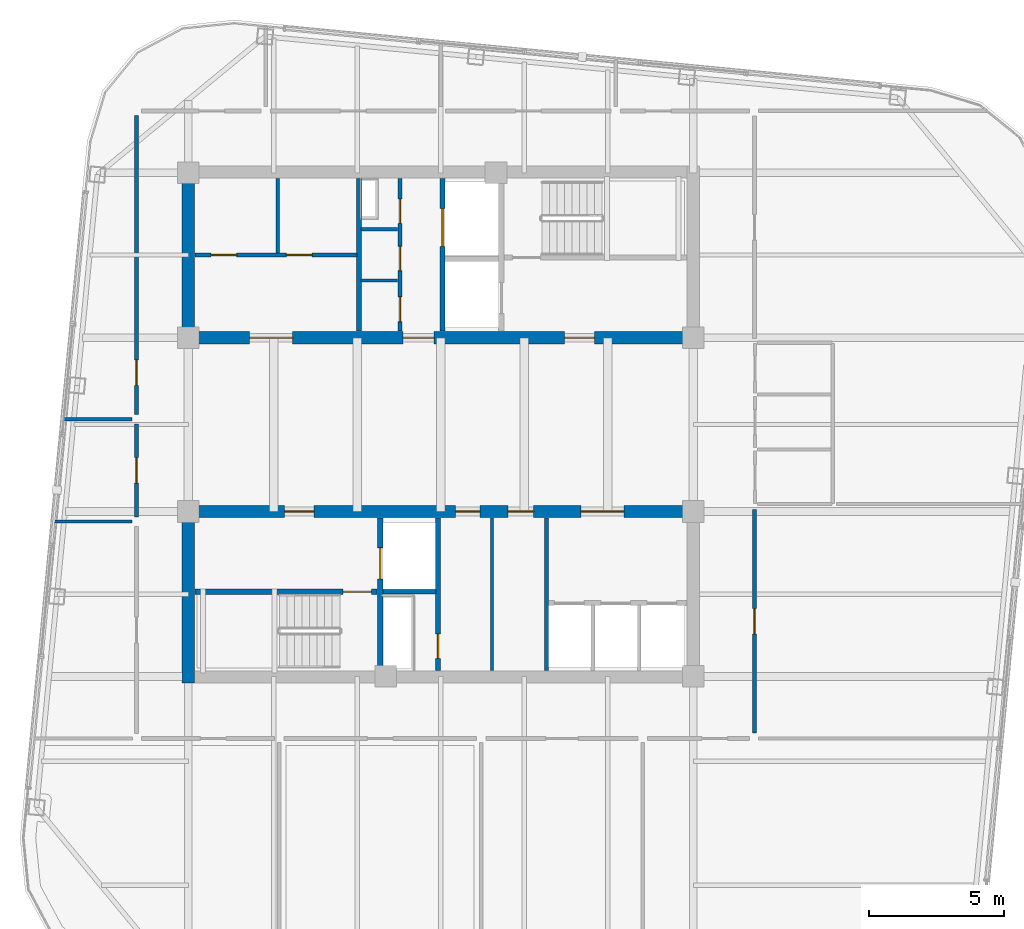
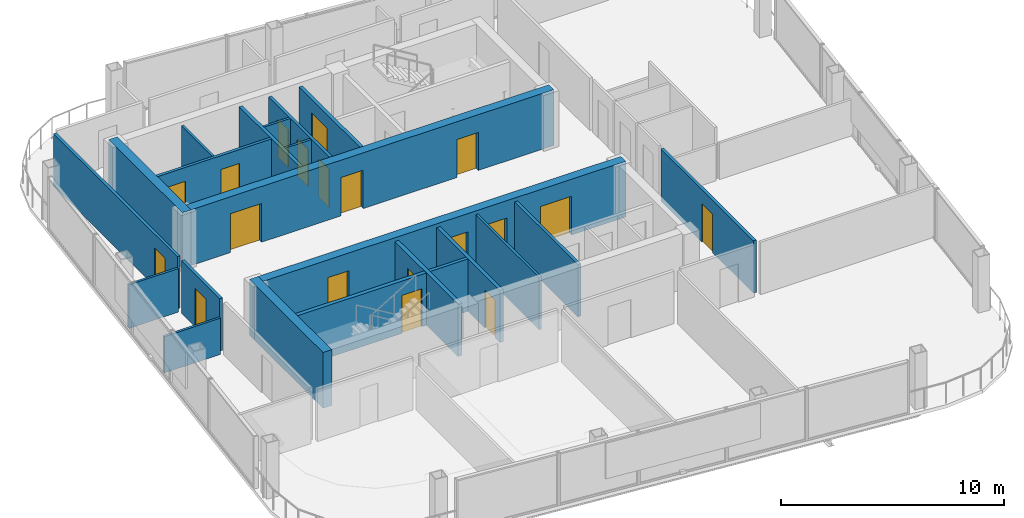
# One storey, part 17 of 23: 22 walls, 19 doors, 19 openings.
"""IFC4 building model written with IfcOpenShell, lengths in metres."""

import ifcopenshell
import ifcopenshell.guid

model = None  # the IFC model being written
_history = None  # IfcOwnerHistory: only IFC2X3 demands one
_inside = {}  # id of a spatial element -> (the spatial element, [elements in it])
_under = {}  # id of a project, library or spatial element -> (it, [spatial elements below it])
_declared = {}  # id of a project -> (the project, [libraries it declares])
_typed = {}  # id of a type object -> (the type object, [elements of that type])
_made_of = {}  # id of a material, layer set ... -> (it, [elements and type objects made of it])


def new_model(schema):
    """Start an empty IFC model of exactly this schema.

    Asked for "IFC4X3", IfcOpenShell would pick the latest addendum, in which some entities
    have other attributes; the version numbers below select the first issue.
    IFC2X3 requires an IfcOwnerHistory on every rooted entity: one is made here for all.
    """
    global model, _history
    if schema == "IFC4X3":
        model = ifcopenshell.file(schema_version=(4, 3, 0, 0))
    else:
        model = ifcopenshell.file(schema=schema)
    _inside.clear()
    _under.clear()
    _declared.clear()
    _typed.clear()
    _made_of.clear()
    _history = None
    if model.schema == "IFC2X3":
        org = make("IfcOrganization", Name="unknown")
        user = make(
            "IfcPersonAndOrganization",
            ThePerson=make("IfcPerson", FamilyName="unknown"),
            TheOrganization=org,
        )
        app = make(
            "IfcApplication",
            ApplicationDeveloper=org,
            Version="unknown",
            ApplicationFullName="unknown",
            ApplicationIdentifier="unknown",
        )
        _history = make(
            "IfcOwnerHistory",
            OwningUser=user,
            OwningApplication=app,
            ChangeAction="ADDED",
            CreationDate=0,
        )
    return model


def make(cls, **values):
    """One entity of the class cls with the attributes given. An attribute that is None is left unset."""
    return model.create_entity(
        cls, **{name: value for name, value in values.items() if value is not None}
    )


def rooted(cls, **values):
    """An entity with a GlobalId (a new one), such as an element, a storey or a relation."""
    return make(cls, GlobalId=ifcopenshell.guid.new(), OwnerHistory=_history, **values)


def si_unit(unit_type, name, prefix=None):
    """IfcSIUnit, for example si_unit("LENGTHUNIT", "METRE", prefix="MILLI")."""
    return make("IfcSIUnit", UnitType=unit_type, Prefix=prefix, Name=name)


def assignment(units):
    """IfcUnitAssignment: the units of a project."""
    return None if units is None else make("IfcUnitAssignment", Units=units)


def point(xyz):
    """IfcCartesianPoint."""
    return None if xyz is None else make("IfcCartesianPoint", Coordinates=xyz)


def direction(xyz):
    """IfcDirection."""
    return None if xyz is None else make("IfcDirection", DirectionRatios=xyz)


def frame(location, z_axis=None, x_axis=None):
    """IfcAxis2Placement3D, a coordinate frame: its origin and axes. An axis left out is left unset."""
    return make(
        "IfcAxis2Placement3D",
        Location=point(location),
        Axis=direction(z_axis),
        RefDirection=direction(x_axis),
    )


def frame_2d(location, x_axis=None):
    """IfcAxis2Placement2D, a coordinate frame in the plane: its origin and x axis."""
    return make(
        "IfcAxis2Placement2D", Location=point(location), RefDirection=direction(x_axis)
    )


def origin():
    """The frame at (0, 0, 0) with its axes left unset."""
    return frame((0.0, 0.0, 0.0))


def place(relative_to, where):
    """IfcLocalPlacement: puts the frame where relative to a parent placement (None: the world)."""
    return make(
        "IfcLocalPlacement", PlacementRelTo=relative_to, RelativePlacement=where
    )


def context(
    kind, dimensions, precision=None, world=None, true_north=None, identifier=None
):
    """IfcGeometricRepresentationContext, for example the 3D "Model" context."""
    return make(
        "IfcGeometricRepresentationContext",
        ContextIdentifier=identifier,
        ContextType=kind,
        CoordinateSpaceDimension=dimensions,
        Precision=precision,
        WorldCoordinateSystem=world,
        TrueNorth=true_north,
    )


def subcontext(parent, identifier, kind, view, scale=None):
    """IfcGeometricRepresentationSubContext, for example "Body" below "Model"."""
    return make(
        "IfcGeometricRepresentationSubContext",
        ContextIdentifier=identifier,
        ContextType=kind,
        ParentContext=parent,
        TargetScale=scale,
        TargetView=view,
    )


def project(units=None, contexts=None):
    """IfcProject with its units and contexts."""
    return rooted(
        "IfcProject",
        Name="project",
        RepresentationContexts=contexts,
        UnitsInContext=assignment(units),
    )


def spatial(cls, under=None, at=None, **own):
    """A site, building, storey or space (cls), placed at a placement, below another one or the project."""
    s = rooted(cls, ObjectPlacement=at, **own)
    if under is not None:
        _under.setdefault(under.id(), (under, []))[1].append(s)
    return s


def profile(cls, at=None, kind="AREA", **sizes):
    """A parametric profile (cls). Its sizes go by their IFC names, for example OverallWidth=200.0."""
    return make(cls, ProfileType=kind, Position=at, **sizes)


def rectangle(**sizes):
    """IfcRectangleProfileDef."""
    return profile("IfcRectangleProfileDef", **sizes)


def extrude(swept, where, along, depth):
    """IfcExtrudedAreaSolid: the profile swept, set in the frame where, extruded along a direction by depth."""
    return make(
        "IfcExtrudedAreaSolid",
        SweptArea=swept,
        Position=where,
        ExtrudedDirection=direction(along),
        Depth=depth,
    )


def shape(context_of_items, identifier, shape_type, items):
    """IfcShapeRepresentation: the items that make up one representation, for example the "Body"."""
    return make(
        "IfcShapeRepresentation",
        ContextOfItems=context_of_items,
        RepresentationIdentifier=identifier,
        RepresentationType=shape_type,
        Items=items,
    )


def material(Name=None, Category=None):
    """IfcMaterial."""
    return make("IfcMaterial", Name=Name, Category=Category)


def layer(
    of_material, thickness, ventilated=None, Name=None, Category=None, Priority=None
):
    """IfcMaterialLayer: one layer of a wall or slab, of a material (None: an air gap)."""
    return make(
        "IfcMaterialLayer",
        Material=of_material,
        LayerThickness=thickness,
        IsVentilated=ventilated,
        Name=Name,
        Category=Category,
        Priority=Priority,
    )


def layer_set(layers, Name=None):
    """IfcMaterialLayerSet."""
    return make("IfcMaterialLayerSet", MaterialLayers=layers, LayerSetName=Name)


def made_of(thing, what):
    """Note that an element or type object is made of a material, layer set ...; save() writes the relation."""
    if what is not None:
        _made_of.setdefault(what.id(), (what, []))[1].append(thing)
    return thing


def type_object(cls, material=None, **own):
    """A type object (cls), such as IfcWallType, which elements share."""
    return made_of(rooted(cls, **own), material)


def element(
    cls,
    number,
    at=None,
    inside=None,
    cuts=None,
    type_object=None,
    material=None,
    context=None,
    identifier="Body",
    shape_type=None,
    held_by="IfcProductDefinitionShape",
    body=None,
    shapes=None,
    **own,
):
    """One element of the class cls, such as IfcWall. Its Tag is "e" and its number.

    at: its placement. inside: the storey or other place that contains it. cuts: it is an
    opening in that element (IfcRelVoidsElement). A single representation is given by context,
    identifier, shape_type and body (its items); several are given by shapes. held_by: the class
    of the entity that holds the representations. save() writes the other relations.
    """
    e = rooted(cls, Tag="e%d" % number, ObjectPlacement=at, **own)
    if body is not None:
        shapes = [shape(context, identifier, shape_type, body)]
    if shapes is not None:
        e.Representation = make(held_by, Representations=shapes)
    if inside is not None:
        _inside.setdefault(inside.id(), (inside, []))[1].append(e)
    if cuts is not None:
        rooted(
            "IfcRelVoidsElement", RelatingBuildingElement=cuts, RelatedOpeningElement=e
        )
    if type_object is not None:
        _typed.setdefault(type_object.id(), (type_object, []))[1].append(e)
    return made_of(e, material)


def fill(opening, filler):
    """IfcRelFillsElement: the door or window that sits in an opening."""
    return rooted(
        "IfcRelFillsElement",
        RelatingOpeningElement=opening,
        RelatedBuildingElement=filler,
    )


def aggregate(whole, parts):
    """IfcRelAggregates: a whole, such as a stair, and the parts it consists of."""
    return rooted("IfcRelAggregates", RelatingObject=whole, RelatedObjects=parts)


def save(model, path):
    """Write the relations noted so far, then the file.

    IfcRelAggregates (storeys below a building ...), IfcRelContainedInSpatialStructure (elements
    in a storey), IfcRelDefinesByType, IfcRelAssociatesMaterial and IfcRelDeclares: one each for
    every whole, place, type object, material and project.
    """
    for whole, parts in _under.values():
        aggregate(whole, parts)
    for where, things in _inside.values():
        rooted(
            "IfcRelContainedInSpatialStructure",
            RelatedElements=things,
            RelatingStructure=where,
        )
    for kind, things in _typed.values():
        rooted("IfcRelDefinesByType", RelatedObjects=things, RelatingType=kind)
    for what, things in _made_of.values():
        rooted("IfcRelAssociatesMaterial", RelatedObjects=things, RelatingMaterial=what)
    for by, libraries in _declared.values():
        rooted("IfcRelDeclares", RelatingContext=by, RelatedDefinitions=libraries)
    model.write(path)


model = new_model("IFC4")

# Units and contexts
model_context = context("Model", 3, precision=1e-05, world=origin(), true_north=direction((0.0, 1.0)))
body_context = subcontext(model_context, "Body", "Model", "MODEL_VIEW")
ifc_project = project(units=[si_unit("LENGTHUNIT", "METRE"), si_unit("AREAUNIT", "SQUARE_METRE"), si_unit("VOLUMEUNIT", "CUBIC_METRE"), si_unit("PLANEANGLEUNIT", "RADIAN"), si_unit("MASSUNIT", "GRAM", prefix="KILO")], contexts=[model_context])

# Site, building, storey
site_placement = place(None, origin())
site = spatial("IfcSite", under=ifc_project, at=site_placement, CompositionType="ELEMENT")
building_placement = place(site_placement, origin())
building = spatial("IfcBuilding", under=site, at=building_placement, Name="Qhalaya Broadcast Tower", CompositionType="ELEMENT")
storey_placement = place(building_placement, frame((0.0, 0.0, 264.199951171875)))
storey = spatial("IfcBuildingStorey", under=building, at=storey_placement, Name="L78", CompositionType="ELEMENT", Elevation=264.199951171875)

# Wall, openings, doors
ifc_material_1 = material(Name="Gypsum Acoustic Partition")
ifc_layer_1 = layer(ifc_material_1, 0.14990234375, Name="Gypsum Acoustic Partition")
ifc_layer_set_1 = layer_set([ifc_layer_1], Name="Gypsum Acoustic Partition")
wall_type_1 = type_object("IfcWallType", Name="Corridor & Tenancy Acoustic Partition 150", PredefinedType="PARTITIONING", material=ifc_layer_set_1)
wall_1_placement = place(storey_placement, frame((-1.52001953125, 4.070068359375, 0.0), z_axis=(0.0, 0.0, 1.0), x_axis=(0.0, 1.0, 0.0)))
wall_1 = element("IfcWall", 1, at=wall_1_placement, inside=storey, type_object=wall_type_1, Name="L78 Partition Wall NCW-SVL", PredefinedType="PARTITIONING", context=body_context, shape_type="SweptSolid", body=[
    extrude(rectangle(XDim=5.659912109375, YDim=0.14990234375, at=frame_2d((2.830078125, 0.0))), origin(), (0.0, 0.0, 1.0), 2.860107421875),
])
opening_1_placement = place(wall_1_placement, frame((4.0, 0.0, 0.0)))
opening_1 = element("IfcOpeningElement", 2, at=opening_1_placement, cuts=wall_1, Name="Opening D06", PredefinedType="OPENING", context=body_context, shape_type="SweptSolid", body=[
    extrude(rectangle(XDim=0.89990234375, YDim=2.050048828125, at=frame_2d((0.449951171875, 1.02490234375))), frame((0.0, 0.0869140625, 0.0), z_axis=(0.0, -1.0, 0.0), x_axis=(1.0, 0.0, 0.0)), (0.0, 0.0, 1.0), 0.173828125),
])
opening_2_placement = place(wall_1_placement, frame((2.25, 0.0, 0.0)))
opening_2 = element("IfcOpeningElement", 3, at=opening_2_placement, cuts=wall_1, Name="Opening D06", PredefinedType="OPENING", context=body_context, shape_type="SweptSolid", body=[
    extrude(rectangle(XDim=0.89990234375, YDim=2.050048828125, at=frame_2d((0.449951171875, 1.02490234375))), frame((0.0, 0.0869140625, 0.0), z_axis=(0.0, -1.0, 0.0), x_axis=(1.0, 0.0, 0.0)), (0.0, 0.0, 1.0), 0.173828125),
])
opening_3_placement = place(wall_1_placement, frame((0.35009765625, 0.0, 0.0)))
opening_3 = element("IfcOpeningElement", 4, at=opening_3_placement, cuts=wall_1, Name="Opening D12", PredefinedType="OPENING", context=body_context, shape_type="SweptSolid", body=[
    extrude(rectangle(XDim=0.919921875, YDim=2.10009765625, at=frame_2d((0.4599609375, 1.050048828125))), frame((0.0, 0.0869140625, 0.0), z_axis=(0.0, -1.0, 0.0), x_axis=(1.0, 0.0, 0.0)), (0.0, 0.0, 1.0), 0.173828125),
])
ifc_material_2 = material(Name="Timber Veneer Acoustic Door", Category="wood")
door_type_1 = type_object("IfcDoorType", Name="Accessible WC & Restroom Door D12", OperationType="NOTDEFINED", PredefinedType="DOOR", material=ifc_material_2)
door_1_placement = place(opening_3_placement, origin())
door_1 = element("IfcDoor", 5, at=door_1_placement, inside=storey, type_object=door_type_1, Name="L78 Door D-NCWC", OperationType="SINGLE_SWING_RIGHT", OverallHeight=2.10009765625, OverallWidth=0.919921875, PredefinedType="DOOR", context=body_context, shape_type="SweptSolid", body=[
    extrude(rectangle(XDim=0.919921875, YDim=2.10009765625, at=frame_2d((0.4599609375, 1.050048828125))), frame((0.0, 0.02490234375, 0.0), z_axis=(0.0, -1.0, 0.0), x_axis=(1.0, 0.0, 0.0)), (0.0, 0.0, 1.0), 0.050048828125),
])
fill(opening_3, door_1)
ifc_material_3 = material(Name="Fire-Rated Steel Door", Category="steel")
door_type_2 = type_object("IfcDoorType", Name="Riser & Electrical Shaft Access Door D06", OperationType="NOTDEFINED", PredefinedType="DOOR", material=ifc_material_3)
door_2_placement = place(opening_1_placement, origin())
door_2 = element("IfcDoor", 6, at=door_2_placement, inside=storey, type_object=door_type_2, Name="L78 Riser Shaft Access Door D-NRSR", OperationType="SINGLE_SWING_RIGHT", OverallHeight=2.050048828125, OverallWidth=0.89990234375, PredefinedType="DOOR", context=body_context, shape_type="SweptSolid", body=[
    extrude(rectangle(XDim=0.89990234375, YDim=2.050048828125, at=frame_2d((0.449951171875, 1.02490234375))), frame((0.0, 0.02490234375, 0.0), z_axis=(0.0, -1.0, 0.0), x_axis=(1.0, 0.0, 0.0)), (0.0, 0.0, 1.0), 0.050048828125),
])
fill(opening_1, door_2)
door_3_placement = place(opening_2_placement, origin())
door_3 = element("IfcDoor", 7, at=door_3_placement, inside=storey, type_object=door_type_2, Name="L78 Door D-NITR", OperationType="SINGLE_SWING_LEFT", OverallHeight=2.050048828125, OverallWidth=0.89990234375, PredefinedType="DOOR", context=body_context, shape_type="SweptSolid", body=[
    extrude(rectangle(XDim=0.89990234375, YDim=2.050048828125, at=frame_2d((0.449951171875, 1.02490234375))), frame((0.0, 0.02490234375, 0.0), z_axis=(0.0, -1.0, 0.0), x_axis=(1.0, 0.0, 0.0)), (0.0, 0.0, 1.0), 0.050048828125),
])
fill(opening_2, door_3)

wall_2_placement = place(storey_placement, frame((-9.1298828125, 6.89990234375, 0.0), z_axis=(0.0, 0.0, 1.0), x_axis=(1.0, 0.0, 0.0)))
wall_2 = element("IfcWall", 8, at=wall_2_placement, inside=storey, type_object=wall_type_1, Name="L78 Partition Wall NCW-REC1", PredefinedType="PARTITIONING", context=body_context, shape_type="SweptSolid", body=[
    extrude(rectangle(XDim=6.009765625, YDim=0.14990234375, at=frame_2d((3.0048828125, 0.0))), origin(), (0.0, 0.0, 1.0), 2.860107421875),
])
opening_4_placement = place(wall_2_placement, frame((0.60009765625, 0.0, 0.0)))
opening_4 = element("IfcOpeningElement", 9, at=opening_4_placement, cuts=wall_2, Name="Opening D10", PredefinedType="OPENING", context=body_context, shape_type="SweptSolid", body=[
    extrude(rectangle(XDim=0.949951171875, YDim=2.10009765625, at=frame_2d((0.47509765625, 1.050048828125))), frame((0.0, 0.0869140625, 0.0), z_axis=(0.0, -1.0, 0.0), x_axis=(1.0, 0.0, 0.0)), (0.0, 0.0, 1.0), 0.173828125),
])
opening_5_placement = place(wall_2_placement, frame((3.39990234375, 0.0, 0.0)))
opening_5 = element("IfcOpeningElement", 10, at=opening_5_placement, cuts=wall_2, Name="Opening D10", PredefinedType="OPENING", context=body_context, shape_type="SweptSolid", body=[
    extrude(rectangle(XDim=0.949951171875, YDim=2.10009765625, at=frame_2d((0.47509765625, 1.050048828125))), frame((0.0, 0.0869140625, 0.0), z_axis=(0.0, -1.0, 0.0), x_axis=(1.0, 0.0, 0.0)), (0.0, 0.0, 1.0), 0.173828125),
])
door_type_3 = type_object("IfcDoorType", Name="Cellular Office & Edit Booth Door D10", OperationType="NOTDEFINED", PredefinedType="DOOR", material=ifc_material_2)
door_4_placement = place(opening_4_placement, origin())
door_4 = element("IfcDoor", 11, at=door_4_placement, inside=storey, type_object=door_type_3, Name="L78 Door D-NREC1", OperationType="SINGLE_SWING_LEFT", OverallHeight=2.10009765625, OverallWidth=0.949951171875, PredefinedType="DOOR", context=body_context, shape_type="SweptSolid", body=[
    extrude(rectangle(XDim=0.949951171875, YDim=2.10009765625, at=frame_2d((0.47509765625, 1.050048828125))), frame((0.0, 0.02490234375, 0.0), z_axis=(0.0, -1.0, 0.0), x_axis=(1.0, 0.0, 0.0)), (0.0, 0.0, 1.0), 0.050048828125),
])
fill(opening_4, door_4)
door_5_placement = place(opening_5_placement, origin())
door_5 = element("IfcDoor", 12, at=door_5_placement, inside=storey, type_object=door_type_3, Name="L78 Door D-NREC2", OperationType="SINGLE_SWING_RIGHT", OverallHeight=2.10009765625, OverallWidth=0.949951171875, PredefinedType="DOOR", context=body_context, shape_type="SweptSolid", body=[
    extrude(rectangle(XDim=0.949951171875, YDim=2.10009765625, at=frame_2d((0.47509765625, 1.050048828125))), frame((0.0, 0.02490234375, 0.0), z_axis=(0.0, -1.0, 0.0), x_axis=(1.0, 0.0, 0.0)), (0.0, 0.0, 1.0), 0.050048828125),
])
fill(opening_5, door_5)

# Wall
wall_3_placement = place(storey_placement, frame((3.919921875, -8.530029296875, 0.0), z_axis=(0.0, 0.0, 1.0), x_axis=(0.0, 1.0, 0.0)))
element("IfcWall", 13, at=wall_3_placement, inside=storey, type_object=wall_type_1, Name="L78 Partition Wall SCW-HSEP", PredefinedType="PARTITIONING", context=body_context, shape_type="SweptSolid", body=[
    extrude(rectangle(XDim=5.659912109375, YDim=0.14990234375, at=frame_2d((2.830078125, 0.0))), origin(), (0.0, 0.0, 1.0), 2.860107421875),
])

# Wall, opening, door
wall_4_placement = place(storey_placement, frame((-11.300048828125, 0.6201171875, 0.0), z_axis=(0.0, 0.0, 1.0), x_axis=(0.0, -1.0, 0.0)))
wall_4 = element("IfcWall", 14, at=wall_4_placement, inside=storey, type_object=wall_type_1, Name="L78 Partition Wall W-COR-10", PredefinedType="PARTITIONING", context=body_context, shape_type="SweptSolid", body=[
    extrude(rectangle(XDim=3.440185546875, YDim=0.14990234375, at=frame_2d((1.72021484375, 0.0))), origin(), (0.0, 0.0, 1.0), 2.860107421875),
])
opening_6_placement = place(wall_4_placement, frame((1.2451171875, 0.0, 0.0)))
opening_6 = element("IfcOpeningElement", 15, at=opening_6_placement, cuts=wall_4, Name="Opening D10", PredefinedType="OPENING", context=body_context, shape_type="SweptSolid", body=[
    extrude(rectangle(XDim=0.949951171875, YDim=2.10009765625, at=frame_2d((0.47509765625, 1.050048828125))), frame((0.0, 0.0869140625, 0.0), z_axis=(0.0, -1.0, 0.0), x_axis=(1.0, 0.0, 0.0)), (0.0, 0.0, 1.0), 0.173828125),
])
door_6_placement = place(opening_6_placement, origin())
door_6 = element("IfcDoor", 16, at=door_6_placement, inside=storey, type_object=door_type_3, Name="L78 Door D-RM10", OperationType="SINGLE_SWING_LEFT", OverallHeight=2.10009765625, OverallWidth=0.949951171875, PredefinedType="DOOR", context=body_context, shape_type="SweptSolid", body=[
    extrude(rectangle(XDim=0.949951171875, YDim=2.10009765625, at=frame_2d((0.47509765625, 1.050048828125))), frame((0.0, 0.02490234375, 0.0), z_axis=(0.0, -1.0, 0.0), x_axis=(1.0, 0.0, 0.0)), (0.0, 0.0, 1.0), 0.050048828125),
])
fill(opening_6, door_6)

wall_5_placement = place(storey_placement, frame((-11.300048828125, 12.070068359375, 0.0), z_axis=(0.0, 0.0, 1.0), x_axis=(0.0, -1.0, 0.0)))
wall_5 = element("IfcWall", 17, at=wall_5_placement, inside=storey, type_object=wall_type_1, Name="L78 Partition Wall W-COR-11", PredefinedType="PARTITIONING", context=body_context, shape_type="SweptSolid", body=[
    extrude(rectangle(XDim=11.090087890625, YDim=0.14990234375, at=frame_2d((5.544921875, 0.0))), origin(), (0.0, 0.0, 1.0), 2.860107421875),
])
opening_7_placement = place(wall_5_placement, frame((9.06201171875, 0.0, 0.0)))
opening_7 = element("IfcOpeningElement", 18, at=opening_7_placement, cuts=wall_5, Name="Opening D10", PredefinedType="OPENING", context=body_context, shape_type="SweptSolid", body=[
    extrude(rectangle(XDim=0.949951171875, YDim=2.10009765625, at=frame_2d((0.47509765625, 1.050048828125))), frame((0.0, 0.0869140625, 0.0), z_axis=(0.0, -1.0, 0.0), x_axis=(1.0, 0.0, 0.0)), (0.0, 0.0, 1.0), 0.173828125),
])
door_7_placement = place(opening_7_placement, origin())
door_7 = element("IfcDoor", 19, at=door_7_placement, inside=storey, type_object=door_type_3, Name="L78 Door D-RM11", OperationType="SINGLE_SWING_RIGHT", OverallHeight=2.10009765625, OverallWidth=0.949951171875, PredefinedType="DOOR", context=body_context, shape_type="SweptSolid", body=[
    extrude(rectangle(XDim=0.949951171875, YDim=2.10009765625, at=frame_2d((0.47509765625, 1.050048828125))), frame((0.0, 0.02490234375, 0.0), z_axis=(0.0, -1.0, 0.0), x_axis=(1.0, 0.0, 0.0)), (0.0, 0.0, 1.0), 0.050048828125),
])
fill(opening_7, door_7)

wall_6_placement = place(storey_placement, frame((11.64990234375, -10.85009765625, 0.0), z_axis=(0.0, 0.0, 1.0), x_axis=(0.0, 1.0, 0.0)))
wall_6 = element("IfcWall", 20, at=wall_6_placement, inside=storey, type_object=wall_type_1, Name="L78 Partition Wall W-COR-12", PredefinedType="PARTITIONING", context=body_context, shape_type="SweptSolid", body=[
    extrude(rectangle(XDim=8.2900390625, YDim=0.14990234375, at=frame_2d((4.14501953125, 0.0))), origin(), (0.0, 0.0, 1.0), 2.860107421875),
])
opening_8_placement = place(wall_6_placement, frame((3.669921875, 0.0, 0.0)))
opening_8 = element("IfcOpeningElement", 21, at=opening_8_placement, cuts=wall_6, Name="Opening D10", PredefinedType="OPENING", context=body_context, shape_type="SweptSolid", body=[
    extrude(rectangle(XDim=0.949951171875, YDim=2.10009765625, at=frame_2d((0.47509765625, 1.050048828125))), frame((0.0, 0.0869140625, 0.0), z_axis=(0.0, -1.0, 0.0), x_axis=(1.0, 0.0, 0.0)), (0.0, 0.0, 1.0), 0.173828125),
])
door_8_placement = place(opening_8_placement, origin())
door_8 = element("IfcDoor", 22, at=door_8_placement, inside=storey, type_object=door_type_3, Name="L78 Door D-RM12", OperationType="SINGLE_SWING_LEFT", OverallHeight=2.10009765625, OverallWidth=0.949951171875, PredefinedType="DOOR", context=body_context, shape_type="SweptSolid", body=[
    extrude(rectangle(XDim=0.949951171875, YDim=2.10009765625, at=frame_2d((0.47509765625, 1.050048828125))), frame((0.0, 0.02490234375, 0.0), z_axis=(0.0, -1.0, 0.0), x_axis=(1.0, 0.0, 0.0)), (0.0, 0.0, 1.0), 0.050048828125),
])
fill(opening_8, door_8)

ifc_material_4 = material(Name="Concrete C50/60", Category="concrete")
ifc_layer_2 = layer(ifc_material_4, 0.199951171875, Name="Concrete C50/60")
ifc_layer_set_2 = layer_set([ifc_layer_2], Name="Concrete C50/60")
wall_type_2 = type_object("IfcWallType", Name="Load-Bearing Stair Shaft Wall 200", PredefinedType="SHEAR", material=ifc_layer_set_2)
wall_7_placement = place(storey_placement, frame((-9.1298828125, -5.60498046875, 0.0), z_axis=(0.0, 0.0, 1.0), x_axis=(1.0, 0.0, 0.0)))
wall_7 = element("IfcWall", 23, at=wall_7_placement, inside=storey, type_object=wall_type_2, Name="L78 Stair Core Shear Wall SCW-ST2", PredefinedType="SHEAR", context=body_context, shape_type="SweptSolid", body=[
    extrude(rectangle(XDim=6.769775390625, YDim=0.199951171875, at=frame_2d((3.384765625, 0.0))), origin(), (0.0, 0.0, 1.0), 2.860107421875),
])
opening_9_placement = place(wall_7_placement, frame((5.5, 0.0, 0.0)))
opening_9 = element("IfcOpeningElement", 24, at=opening_9_placement, cuts=wall_7, Name="Opening D03", PredefinedType="OPENING", context=body_context, shape_type="SweptSolid", body=[
    extrude(rectangle(XDim=1.050048828125, YDim=2.080078125, at=frame_2d((0.52490234375, 1.0400390625))), frame((0.0, 0.112060546875, 0.0), z_axis=(0.0, -1.0, 0.0), x_axis=(1.0, 0.0, 0.0)), (0.0, 0.0, 1.0), 0.223876953125),
])
door_type_4 = type_object("IfcDoorType", Name="Core Stair Protected Fire Door D03", OperationType="NOTDEFINED", PredefinedType="DOOR", material=ifc_material_3)
door_9_placement = place(opening_9_placement, origin())
door_9 = element("IfcDoor", 25, at=door_9_placement, inside=storey, type_object=door_type_4, Name="L78 Door D-SST2", OperationType="SINGLE_SWING_RIGHT", OverallHeight=2.080078125, OverallWidth=1.050048828125, PredefinedType="DOOR", context=body_context, shape_type="SweptSolid", body=[
    extrude(rectangle(XDim=1.050048828125, YDim=2.080078125, at=frame_2d((0.52490234375, 1.0400390625))), frame((0.0, 0.02490234375, 0.0), z_axis=(0.0, -1.0, 0.0), x_axis=(1.0, 0.0, 0.0)), (0.0, 0.0, 1.0), 0.050048828125),
])
fill(opening_9, door_9)

wall_8_placement = place(storey_placement, frame((-2.25, -8.530029296875, 0.0), z_axis=(0.0, 0.0, 1.0), x_axis=(0.0, 1.0, 0.0)))
wall_8 = element("IfcWall", 26, at=wall_8_placement, inside=storey, type_object=wall_type_2, Name="L78 Stair Core Shear Wall SCW-FF", PredefinedType="SHEAR", context=body_context, shape_type="SweptSolid", body=[
    extrude(rectangle(XDim=5.659912109375, YDim=0.199951171875, at=frame_2d((2.830078125, 0.0))), origin(), (0.0, 0.0, 1.0), 2.860107421875),
])
opening_10_placement = place(wall_8_placement, frame((3.39990234375, 0.0, 0.0)))
opening_10 = element("IfcOpeningElement", 27, at=opening_10_placement, cuts=wall_8, Name="Opening LD2", PredefinedType="OPENING", context=body_context, shape_type="SweptSolid", body=[
    extrude(rectangle(XDim=1.14990234375, YDim=2.080078125, at=frame_2d((0.574951171875, 1.0400390625))), frame((0.0, 0.112060546875, 0.0), z_axis=(0.0, -1.0, 0.0), x_axis=(1.0, 0.0, 0.0)), (0.0, 0.0, 1.0), 0.223876953125),
])
ifc_material_5 = material(Name="Brushed Stainless Steel Lift Door", Category="steel")
door_type_5 = type_object("IfcDoorType", Name="Firefighting Lift Sliding Landing Door LD2", OperationType="DOUBLE_DOOR_SLIDING", PredefinedType="DOOR", material=ifc_material_5)
door_10_placement = place(opening_10_placement, origin())
door_10 = element("IfcDoor", 28, at=door_10_placement, inside=storey, type_object=door_type_5, Name="L78 Door LD-FF2", OperationType="DOUBLE_DOOR_SLIDING", OverallHeight=2.080078125, OverallWidth=1.14990234375, PredefinedType="DOOR", context=body_context, shape_type="SweptSolid", body=[
    extrude(rectangle(XDim=1.14990234375, YDim=2.080078125, at=frame_2d((0.574951171875, 1.0400390625))), frame((0.0, 0.02490234375, 0.0), z_axis=(0.0, -1.0, 0.0), x_axis=(1.0, 0.0, 0.0)), (0.0, 0.0, 1.0), 0.050048828125),
])
fill(opening_10, door_10)

# Walls
ifc_layer_3 = layer(ifc_material_1, 0.1201171875, Name="Gypsum Acoustic Partition")
ifc_layer_set_3 = layer_set([ifc_layer_3], Name="Gypsum Acoustic Partition")
wall_type_3 = type_object("IfcWallType", Name="Office, Booth & Sanitary Partition 120", PredefinedType="PARTITIONING", material=ifc_layer_set_3)
for number, where, z_axis, x_axis, name in (
    (29, (-2.9599609375, 5.949951171875, 0.0), (0.0, 0.0, 1.0), (1.0, 0.0, 0.0), "L78 Partition Wall NCW-VB1"),
    (30, (-2.9599609375, 7.85009765625, 0.0), (0.0, 0.0, 1.0), (1.0, 0.0, 0.0), "L78 Partition Wall NCW-VB2"),
):
    element("IfcWall", number, at=place(storey_placement, frame(where, z_axis=z_axis, x_axis=x_axis)), inside=storey, type_object=wall_type_3, Name=name, PredefinedType="PARTITIONING", context=body_context, shape_type="SweptSolid", body=[
        extrude(rectangle(XDim=1.35986328125, YDim=0.1201171875, at=frame_2d((0.679931640625, 0.0))), origin(), (0.0, 0.0, 1.0), 2.860107421875),
    ])
wall_9_placement = place(storey_placement, frame((-6.050048828125, 6.97998046875, 0.0), z_axis=(0.0, 0.0, 1.0), x_axis=(0.0, 1.0, 0.0)))
element("IfcWall", 31, at=wall_9_placement, inside=storey, type_object=wall_type_3, Name="L78 Partition Wall NCW-REC2", PredefinedType="PARTITIONING", context=body_context, shape_type="SweptSolid", body=[
    extrude(rectangle(XDim=2.75, YDim=0.1201171875, at=frame_2d((1.375, 0.0))), origin(), (0.0, 0.0, 1.0), 2.860107421875),
])
wall_10_placement = place(storey_placement, frame((1.89990234375, -8.530029296875, 0.0), z_axis=(0.0, 0.0, 1.0), x_axis=(0.0, 1.0, 0.0)))
element("IfcWall", 32, at=wall_10_placement, inside=storey, type_object=wall_type_3, Name="L78 Partition Wall SCW-RKB", PredefinedType="PARTITIONING", context=body_context, shape_type="SweptSolid", body=[
    extrude(rectangle(XDim=5.659912109375, YDim=0.1201171875, at=frame_2d((2.830078125, 0.0))), origin(), (0.0, 0.0, 1.0), 2.860107421875),
])
wall_11_placement = place(storey_placement, frame((-14.37060546875, -3.0, 0.0), z_axis=(0.0, 0.0, 1.0), x_axis=(1.0, 0.0, 0.0)))
element("IfcWall", 33, at=wall_11_placement, inside=storey, type_object=wall_type_3, Name="L78 Partition Wall W-DIVW1", PredefinedType="PARTITIONING", context=body_context, shape_type="SweptSolid", body=[
    extrude(rectangle(XDim=2.91064453125, YDim=0.1201171875, at=frame_2d((1.455322265625, 0.0))), origin(), (0.0, 0.0, 1.0), 1.98095703125),
])
wall_12_placement = place(storey_placement, frame((-14.0048828125, 0.800048828125, 0.0), z_axis=(0.0, 0.0, 1.0), x_axis=(1.0, 0.0, 0.0)))
element("IfcWall", 34, at=wall_12_placement, inside=storey, type_object=wall_type_3, Name="L78 Partition Wall W-DIVW2", PredefinedType="PARTITIONING", context=body_context, shape_type="SweptSolid", body=[
    extrude(rectangle(XDim=2.544921875, YDim=0.1201171875, at=frame_2d((1.2724609375, 0.0))), origin(), (0.0, 0.0, 1.0), 2.381103515625),
])

# Wall, opening, door
ifc_layer_4 = layer(ifc_material_1, 0.175048828125, Name="Gypsum Acoustic Partition")
ifc_layer_set_4 = layer_set([ifc_layer_4], Name="Gypsum Acoustic Partition")
wall_type_4 = type_object("IfcWallType", Name="Shaft & Riser Fire Partition 175", PredefinedType="PARTITIONING", material=ifc_layer_set_4)
wall_13_placement = place(storey_placement, frame((0.06005859375, 4.070068359375, 0.0), z_axis=(0.0, 0.0, 1.0), x_axis=(0.0, 1.0, 0.0)))
wall_13 = element("IfcWall", 35, at=wall_13_placement, inside=storey, type_object=wall_type_4, Name="L78 Partition Wall NCW-SVW", PredefinedType="PARTITIONING", context=body_context, shape_type="SweptSolid", body=[
    extrude(rectangle(XDim=5.659912109375, YDim=0.175048828125, at=frame_2d((2.830078125, 0.0))), origin(), (0.0, 0.0, 1.0), 2.860107421875),
])
opening_11_placement = place(wall_13_placement, frame((3.14990234375, 0.0, 0.0)))
opening_11 = element("IfcOpeningElement", 36, at=opening_11_placement, cuts=wall_13, Name="Opening LD3", PredefinedType="OPENING", context=body_context, shape_type="SweptSolid", body=[
    extrude(rectangle(XDim=1.39990234375, YDim=2.1201171875, at=frame_2d((0.699951171875, 1.06005859375))), frame((0.0, 0.099609375, 0.0), z_axis=(0.0, -1.0, 0.0), x_axis=(1.0, 0.0, 0.0)), (0.0, 0.0, 1.0), 0.198974609375),
])
door_type_6 = type_object("IfcDoorType", Name="Service Lift Wide Sliding Landing Door LD3", OperationType="DOUBLE_DOOR_SLIDING", PredefinedType="DOOR", material=ifc_material_5)
door_11_placement = place(opening_11_placement, origin())
door_11 = element("IfcDoor", 37, at=door_11_placement, inside=storey, type_object=door_type_6, Name="L78 Door LD-SV1", OperationType="DOUBLE_DOOR_SLIDING", OverallHeight=2.1201171875, OverallWidth=1.39990234375, PredefinedType="DOOR", context=body_context, shape_type="SweptSolid", body=[
    extrude(rectangle(XDim=1.39990234375, YDim=2.1201171875, at=frame_2d((0.699951171875, 1.06005859375))), frame((0.0, 0.02490234375, 0.0), z_axis=(0.0, -1.0, 0.0), x_axis=(1.0, 0.0, 0.0)), (0.0, 0.0, 1.0), 0.050048828125),
])
fill(opening_11, door_11)

# Wall
wall_14_placement = place(storey_placement, frame((-3.0400390625, 4.070068359375, 0.0), z_axis=(0.0, 0.0, 1.0), x_axis=(0.0, 1.0, 0.0)))
element("IfcWall", 38, at=wall_14_placement, inside=storey, type_object=wall_type_4, Name="L78 Partition Wall NCW-VRW", PredefinedType="PARTITIONING", context=body_context, shape_type="SweptSolid", body=[
    extrude(rectangle(XDim=5.659912109375, YDim=0.175048828125, at=frame_2d((2.830078125, 0.0))), origin(), (0.0, 0.0, 1.0), 2.860107421875),
])

# Wall, opening, door
wall_15_placement = place(storey_placement, frame((-0.10009765625, -8.530029296875, 0.0), z_axis=(0.0, 0.0, 1.0), x_axis=(0.0, 1.0, 0.0)))
wall_15 = element("IfcWall", 39, at=wall_15_placement, inside=storey, type_object=wall_type_4, Name="L78 Partition Wall SCW-FFE", PredefinedType="PARTITIONING", context=body_context, shape_type="SweptSolid", body=[
    extrude(rectangle(XDim=5.659912109375, YDim=0.175048828125, at=frame_2d((2.830078125, 0.0))), origin(), (0.0, 0.0, 1.0), 2.860107421875),
])
opening_12_placement = place(wall_15_placement, frame((0.449951171875, 0.0, 0.0)))
opening_12 = element("IfcOpeningElement", 40, at=opening_12_placement, cuts=wall_15, Name="Opening D06", PredefinedType="OPENING", context=body_context, shape_type="SweptSolid", body=[
    extrude(rectangle(XDim=0.89990234375, YDim=2.050048828125, at=frame_2d((0.449951171875, 1.02490234375))), frame((0.0, 0.099609375, 0.0), z_axis=(0.0, -1.0, 0.0), x_axis=(1.0, 0.0, 0.0)), (0.0, 0.0, 1.0), 0.198974609375),
])
door_12_placement = place(opening_12_placement, origin())
door_12 = element("IfcDoor", 41, at=door_12_placement, inside=storey, type_object=door_type_2, Name="L78 Riser Shaft Access Door D-SRSR", OperationType="SINGLE_SWING_LEFT", OverallHeight=2.050048828125, OverallWidth=0.89990234375, PredefinedType="DOOR", context=body_context, shape_type="SweptSolid", body=[
    extrude(rectangle(XDim=0.89990234375, YDim=2.050048828125, at=frame_2d((0.449951171875, 1.02490234375))), frame((0.0, 0.02490234375, 0.0), z_axis=(0.0, -1.0, 0.0), x_axis=(1.0, 0.0, 0.0)), (0.0, 0.0, 1.0), 0.050048828125),
])
fill(opening_12, door_12)

# Wall
wall_16_placement = place(storey_placement, frame((-2.14990234375, -5.60009765625, 0.0), z_axis=(0.0, 0.0, 1.0), x_axis=(1.0, 0.0, 0.0)))
element("IfcWall", 42, at=wall_16_placement, inside=storey, type_object=wall_type_4, Name="L78 Partition Wall SCW-FFM", PredefinedType="PARTITIONING", context=body_context, shape_type="SweptSolid", body=[
    extrude(rectangle(XDim=1.969970703125, YDim=0.175048828125, at=frame_2d((0.98486328125, 0.0))), origin(), (0.0, 0.0, 1.0), 2.860107421875),
])

# Wall, openings, doors
ifc_layer_5 = layer(ifc_material_4, 0.449951171875, Name="Concrete C50/60")
ifc_layer_set_5 = layer_set([ifc_layer_5], Name="Concrete C50/60")
wall_type_5 = type_object("IfcWallType", Name="Upper Split-Core Shear Wall 450", PredefinedType="SHEAR", material=ifc_layer_set_5)
wall_17_placement = place(storey_placement, frame((-9.60009765625, 3.824951171875, 0.0), z_axis=(0.0, 0.0, 1.0), x_axis=(1.0, 0.0, 0.0)))
wall_17 = element("IfcWall", 43, at=wall_17_placement, inside=storey, type_object=wall_type_5, Name="L78 Split-Core Shear Wall CW-NS", PredefinedType="SHEAR", context=body_context, shape_type="SweptSolid", body=[
    extrude(rectangle(XDim=19.2001953125, YDim=0.449951171875, at=frame_2d((9.60009765625, 0.0))), origin(), (0.0, 0.0, 1.0), 3.050048828125),
])
opening_13_placement = place(wall_17_placement, frame((14.199951171875, 0.0, 0.0)))
opening_13 = element("IfcOpeningElement", 44, at=opening_13_placement, cuts=wall_17, Name="Opening D04", PredefinedType="OPENING", context=body_context, shape_type="SweptSolid", body=[
    extrude(rectangle(XDim=1.10009765625, YDim=2.080078125, at=frame_2d((0.550048828125, 1.0400390625))), frame((0.0, 0.237060546875, 0.0), z_axis=(0.0, -1.0, 0.0), x_axis=(1.0, 0.0, 0.0)), (0.0, 0.0, 1.0), 0.473876953125),
])
opening_14_placement = place(wall_17_placement, frame((8.199951171875, 0.0, 0.0)))
opening_14 = element("IfcOpeningElement", 45, at=opening_14_placement, cuts=wall_17, Name="Opening D05", PredefinedType="OPENING", context=body_context, shape_type="SweptSolid", body=[
    extrude(rectangle(XDim=1.14990234375, YDim=2.10009765625, at=frame_2d((0.574951171875, 1.050048828125))), frame((0.0, 0.237060546875, 0.0), z_axis=(0.0, -1.0, 0.0), x_axis=(1.0, 0.0, 0.0)), (0.0, 0.0, 1.0), 0.473876953125),
])
opening_15_placement = place(wall_17_placement, frame((2.5, 0.0, 0.0)))
opening_15 = element("IfcOpeningElement", 46, at=opening_15_placement, cuts=wall_17, Name="Opening D07", PredefinedType="OPENING", context=body_context, shape_type="SweptSolid", body=[
    extrude(rectangle(XDim=1.60009765625, YDim=2.1201171875, at=frame_2d((0.800048828125, 1.06005859375))), frame((0.0, 0.237060546875, 0.0), z_axis=(0.0, -1.0, 0.0), x_axis=(1.0, 0.0, 0.0)), (0.0, 0.0, 1.0), 0.473876953125),
])
door_type_7 = type_object("IfcDoorType", Name="Firefighting Lobby Rated Door D04", OperationType="NOTDEFINED", PredefinedType="DOOR", material=ifc_material_3)
door_13_placement = place(opening_13_placement, origin())
door_13 = element("IfcDoor", 47, at=door_13_placement, inside=storey, type_object=door_type_7, Name="L78 Door D-NFF", OperationType="SINGLE_SWING_RIGHT", OverallHeight=2.080078125, OverallWidth=1.10009765625, PredefinedType="DOOR", context=body_context, shape_type="SweptSolid", body=[
    extrude(rectangle(XDim=1.10009765625, YDim=2.080078125, at=frame_2d((0.550048828125, 1.0400390625))), frame((0.0, 0.02490234375, 0.0), z_axis=(0.0, -1.0, 0.0), x_axis=(1.0, 0.0, 0.0)), (0.0, 0.0, 1.0), 0.050048828125),
])
fill(opening_13, door_13)
ifc_material_6 = material(Name="Anodised Aluminium Glazed Door", Category="aluminium")
door_type_8 = type_object("IfcDoorType", Name="Passenger Lift Lobby Double Glazed Door D07", OperationType="DOUBLE_DOOR_SINGLE_SWING", PredefinedType="DOOR", material=ifc_material_6)
door_14_placement = place(opening_15_placement, origin())
door_14 = element("IfcDoor", 48, at=door_14_placement, inside=storey, type_object=door_type_8, Name="L78 Door D-NRECV", OperationType="DOUBLE_DOOR_SINGLE_SWING", OverallHeight=2.1201171875, OverallWidth=1.60009765625, PredefinedType="DOOR", context=body_context, shape_type="SweptSolid", body=[
    extrude(rectangle(XDim=1.60009765625, YDim=2.1201171875, at=frame_2d((0.800048828125, 1.06005859375))), frame((0.0, 0.02490234375, 0.0), z_axis=(0.0, -1.0, 0.0), x_axis=(1.0, 0.0, 0.0)), (0.0, 0.0, 1.0), 0.050048828125),
])
fill(opening_15, door_14)
door_type_9 = type_object("IfcDoorType", Name="Refuge & Plant Room Fire Door D05", OperationType="NOTDEFINED", PredefinedType="DOOR", material=ifc_material_3)
door_15_placement = place(opening_14_placement, origin())
door_15 = element("IfcDoor", 49, at=door_15_placement, inside=storey, type_object=door_type_9, Name="L78 Door D-NSVL", OperationType="SINGLE_SWING_LEFT", OverallHeight=2.10009765625, OverallWidth=1.14990234375, PredefinedType="DOOR", context=body_context, shape_type="SweptSolid", body=[
    extrude(rectangle(XDim=1.14990234375, YDim=2.10009765625, at=frame_2d((0.574951171875, 1.050048828125))), frame((0.0, 0.02490234375, 0.0), z_axis=(0.0, -1.0, 0.0), x_axis=(1.0, 0.0, 0.0)), (0.0, 0.0, 1.0), 0.050048828125),
])
fill(opening_14, door_15)

# Wall
wall_18_placement = place(storey_placement, frame((-9.375, 3.60009765625, 0.0), z_axis=(0.0, 0.0, 1.0), x_axis=(0.0, 1.0, 0.0)))
element("IfcWall", 50, at=wall_18_placement, inside=storey, type_object=wall_type_5, Name="L78 Split-Core Shear Wall CW-NW", PredefinedType="SHEAR", context=body_context, shape_type="SweptSolid", body=[
    extrude(rectangle(XDim=6.599853515625, YDim=0.449951171875, at=frame_2d((3.2998046875, 0.0))), origin(), (0.0, 0.0, 1.0), 3.050048828125),
])

# Wall, openings, doors
wall_19_placement = place(storey_placement, frame((-9.60009765625, -2.625, 0.0), z_axis=(0.0, 0.0, 1.0), x_axis=(1.0, 0.0, 0.0)))
wall_19 = element("IfcWall", 51, at=wall_19_placement, inside=storey, type_object=wall_type_5, Name="L78 Split-Core Shear Wall CW-SN", PredefinedType="SHEAR", context=body_context, shape_type="SweptSolid", body=[
    extrude(rectangle(XDim=19.2001953125, YDim=0.449951171875, at=frame_2d((9.60009765625, 0.0))), origin(), (0.0, 0.0, 1.0), 3.050048828125),
])
opening_16_placement = place(wall_19_placement, frame((3.800048828125, 0.0, 0.0)))
opening_16 = element("IfcOpeningElement", 52, at=opening_16_placement, cuts=wall_19, Name="Opening D04", PredefinedType="OPENING", context=body_context, shape_type="SweptSolid", body=[
    extrude(rectangle(XDim=1.10009765625, YDim=2.080078125, at=frame_2d((0.550048828125, 1.0400390625))), frame((0.0, 0.237060546875, 0.0), z_axis=(0.0, -1.0, 0.0), x_axis=(1.0, 0.0, 0.0)), (0.0, 0.0, 1.0), 0.473876953125),
])
opening_17_placement = place(wall_19_placement, frame((10.14990234375, 0.0, 0.0)))
opening_17 = element("IfcOpeningElement", 53, at=opening_17_placement, cuts=wall_19, Name="Opening D06", PredefinedType="OPENING", context=body_context, shape_type="SweptSolid", body=[
    extrude(rectangle(XDim=0.89990234375, YDim=2.050048828125, at=frame_2d((0.449951171875, 1.02490234375))), frame((0.0, 0.237060546875, 0.0), z_axis=(0.0, -1.0, 0.0), x_axis=(1.0, 0.0, 0.0)), (0.0, 0.0, 1.0), 0.473876953125),
])
opening_18_placement = place(wall_19_placement, frame((12.10009765625, 0.0, 0.0)))
opening_18 = element("IfcOpeningElement", 54, at=opening_18_placement, cuts=wall_19, Name="Opening D10", PredefinedType="OPENING", context=body_context, shape_type="SweptSolid", body=[
    extrude(rectangle(XDim=0.949951171875, YDim=2.10009765625, at=frame_2d((0.47509765625, 1.050048828125))), frame((0.0, 0.237060546875, 0.0), z_axis=(0.0, -1.0, 0.0), x_axis=(1.0, 0.0, 0.0)), (0.0, 0.0, 1.0), 0.473876953125),
])
opening_19_placement = place(wall_19_placement, frame((14.800048828125, 0.0, 0.0)))
opening_19 = element("IfcOpeningElement", 55, at=opening_19_placement, cuts=wall_19, Name="Opening D07", PredefinedType="OPENING", context=body_context, shape_type="SweptSolid", body=[
    extrude(rectangle(XDim=1.60009765625, YDim=2.1201171875, at=frame_2d((0.800048828125, 1.06005859375))), frame((0.0, 0.237060546875, 0.0), z_axis=(0.0, -1.0, 0.0), x_axis=(1.0, 0.0, 0.0)), (0.0, 0.0, 1.0), 0.473876953125),
])
door_16_placement = place(opening_18_placement, origin())
door_16 = element("IfcDoor", 56, at=door_16_placement, inside=storey, type_object=door_type_3, Name="L78 Door D-SREC2", OperationType="SINGLE_SWING_RIGHT", OverallHeight=2.10009765625, OverallWidth=0.949951171875, PredefinedType="DOOR", context=body_context, shape_type="SweptSolid", body=[
    extrude(rectangle(XDim=0.949951171875, YDim=2.10009765625, at=frame_2d((0.47509765625, 1.050048828125))), frame((0.0, 0.02490234375, 0.0), z_axis=(0.0, -1.0, 0.0), x_axis=(1.0, 0.0, 0.0)), (0.0, 0.0, 1.0), 0.050048828125),
])
fill(opening_18, door_16)
door_17_placement = place(opening_16_placement, origin())
door_17 = element("IfcDoor", 57, at=door_17_placement, inside=storey, type_object=door_type_7, Name="L78 Door D-SFF", OperationType="SINGLE_SWING_LEFT", OverallHeight=2.080078125, OverallWidth=1.10009765625, PredefinedType="DOOR", context=body_context, shape_type="SweptSolid", body=[
    extrude(rectangle(XDim=1.10009765625, YDim=2.080078125, at=frame_2d((0.550048828125, 1.0400390625))), frame((0.0, 0.02490234375, 0.0), z_axis=(0.0, -1.0, 0.0), x_axis=(1.0, 0.0, 0.0)), (0.0, 0.0, 1.0), 0.050048828125),
])
fill(opening_16, door_17)
door_18_placement = place(opening_19_placement, origin())
door_18 = element("IfcDoor", 58, at=door_18_placement, inside=storey, type_object=door_type_8, Name="L78 Door D-SPLL", OperationType="DOUBLE_DOOR_SINGLE_SWING", OverallHeight=2.1201171875, OverallWidth=1.60009765625, PredefinedType="DOOR", context=body_context, shape_type="SweptSolid", body=[
    extrude(rectangle(XDim=1.60009765625, YDim=2.1201171875, at=frame_2d((0.800048828125, 1.06005859375))), frame((0.0, 0.02490234375, 0.0), z_axis=(0.0, -1.0, 0.0), x_axis=(1.0, 0.0, 0.0)), (0.0, 0.0, 1.0), 0.050048828125),
])
fill(opening_19, door_18)
door_19_placement = place(opening_17_placement, origin())
door_19 = element("IfcDoor", 59, at=door_19_placement, inside=storey, type_object=door_type_2, Name="L78 Door D-SREC1", OperationType="SINGLE_SWING_LEFT", OverallHeight=2.050048828125, OverallWidth=0.89990234375, PredefinedType="DOOR", context=body_context, shape_type="SweptSolid", body=[
    extrude(rectangle(XDim=0.89990234375, YDim=2.050048828125, at=frame_2d((0.449951171875, 1.02490234375))), frame((0.0, 0.02490234375, 0.0), z_axis=(0.0, -1.0, 0.0), x_axis=(1.0, 0.0, 0.0)), (0.0, 0.0, 1.0), 0.050048828125),
])
fill(opening_17, door_19)

# Wall
wall_20_placement = place(storey_placement, frame((-9.375, -9.0, 0.0), z_axis=(0.0, 0.0, 1.0), x_axis=(0.0, 1.0, 0.0)))
element("IfcWall", 60, at=wall_20_placement, inside=storey, type_object=wall_type_5, Name="L78 Split-Core Shear Wall CW-SW", PredefinedType="SHEAR", context=body_context, shape_type="SweptSolid", body=[
    extrude(rectangle(XDim=6.60009765625, YDim=0.449951171875, at=frame_2d((3.300048828125, 0.0))), origin(), (0.0, 0.0, 1.0), 3.050048828125),
])

save(model, "model.ifc")
